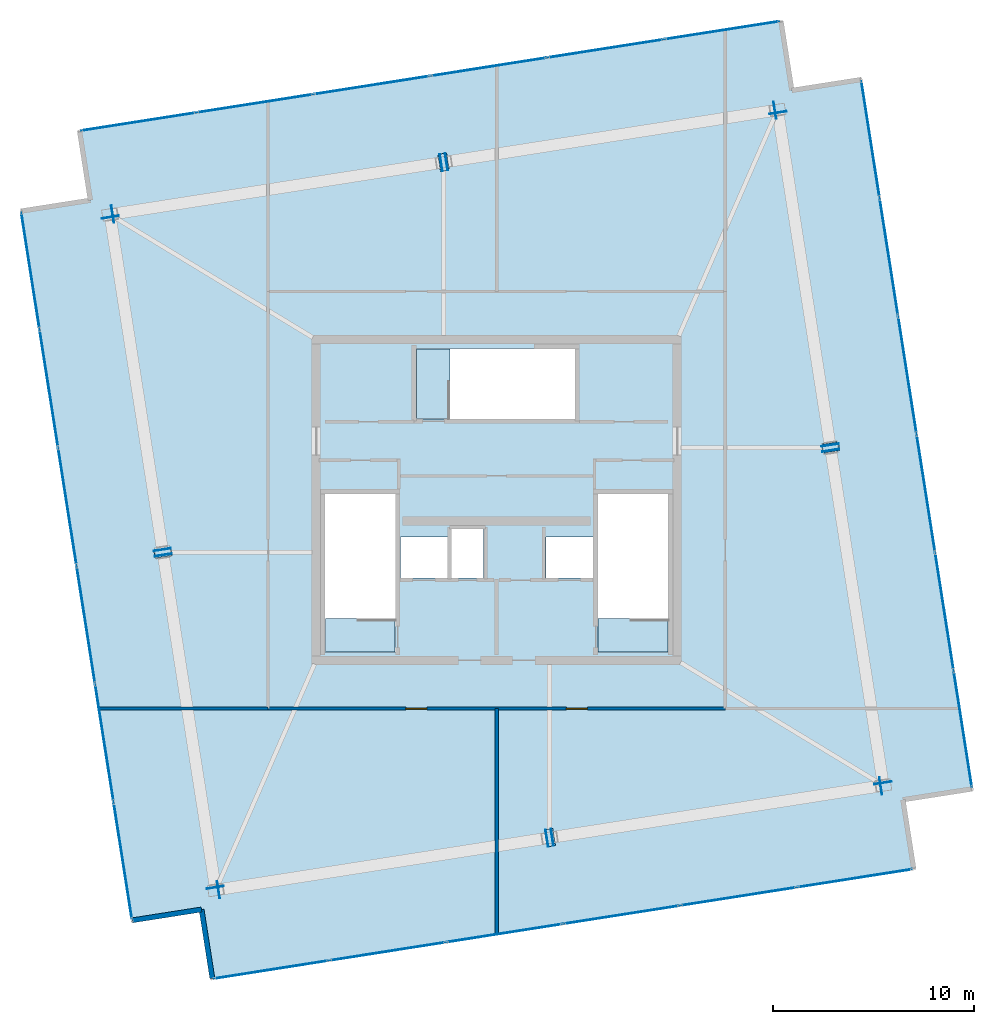
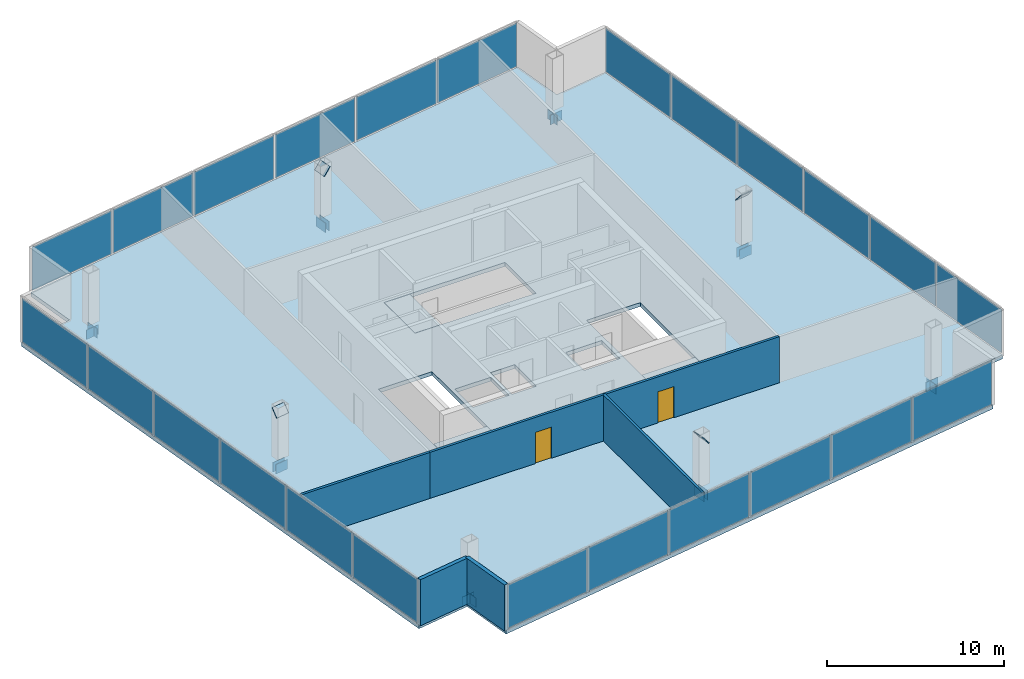
# One storey, part 14 of 17: 44 plates, 5 walls, 4 slabs, 2 doors, 2 openings, 4 elements without a shape of their own.
"""IFC4 building model written with IfcOpenShell, lengths in metres."""

from ifc_helpers import new_model, si_unit, direction, frame, frame_2d, origin, origin_2d, place, context, subcontext, project, spatial, polyline, rectangle, outline, extrude, source, transform, mapped, material, layer, layer_set, type_object, element, fill, aggregate, save


model = new_model("IFC4")

# Units and contexts
model_context = context("Model", 3, precision=1e-05, world=origin(), true_north=direction((0.0, 1.0)))
body_context = subcontext(model_context, "Body", "Model", "MODEL_VIEW")
ifc_project = project(units=[si_unit("LENGTHUNIT", "METRE"), si_unit("AREAUNIT", "SQUARE_METRE"), si_unit("VOLUMEUNIT", "CUBIC_METRE"), si_unit("PLANEANGLEUNIT", "RADIAN"), si_unit("MASSUNIT", "GRAM", prefix="KILO")], contexts=[model_context])

# Site, building, storey
site_placement = place(None, origin())
site = spatial("IfcSite", under=ifc_project, at=site_placement, CompositionType="ELEMENT")
building_placement = place(site_placement, origin())
building = spatial("IfcBuilding", under=site, at=building_placement, Name="Haldenkirk Collegiate Tower", CompositionType="ELEMENT")
storey_placement = place(building_placement, frame((0.0, 0.0, 371.39990234375)))
storey = spatial("IfcBuildingStorey", under=building, at=storey_placement, Name="L94", CompositionType="ELEMENT", Elevation=371.39990234375)

# Slabs
ifc_material_1 = material(Name="Concrete f'c 40 MPa", Category="concrete")
ifc_layer_1 = layer(ifc_material_1, 0.27001953125)
ifc_layer_set_1 = layer_set([ifc_layer_1], Name="Concrete f'c 40 MPa")
slab_type_1 = type_object("IfcSlabType", Name="SLB-FLR-270", PredefinedType="FLOOR", material=ifc_layer_set_1)
slab_1_placement = place(storey_placement, frame((0.0, 0.0, -0.27001953125)))
element("IfcSlab", 1, at=slab_1_placement, inside=storey, type_object=slab_type_1, Name="L94 composite structural floor slab", PredefinedType="FLOOR", context=body_context, shape_type="SweptSolid", body=[
    extrude(outline(polyline([(59.714111328125, 11.595458984375), (54.17529296875, 46.96435546875), (50.717529296875, 46.4228515625), (50.176025390625, 49.880615234375), (15.202392578125, 44.404052734375), (15.743896484375, 40.946044921875), (12.285888671875, 40.404541015625), (17.82470703125, 5.03564453125), (21.282470703125, 5.5771484375), (21.823974609375, 2.119384765625), (56.797607421875, 7.595947265625), (56.256103515625, 11.053955078125), (59.714111328125, 11.595458984375)]), holes=[polyline([(27.449951171875, 18.39990234375), (30.949951171875, 18.39990234375), (30.949951171875, 26.300048828125), (27.449951171875, 26.300048828125), (27.449951171875, 18.39990234375)]), polyline([(41.050048828125, 18.39990234375), (44.550048828125, 18.39990234375), (44.550048828125, 26.300048828125), (41.050048828125, 26.300048828125), (41.050048828125, 18.39990234375)]), polyline([(32.0, 30.050048828125), (39.89990234375, 30.050048828125), (39.89990234375, 33.550048828125), (32.0, 33.550048828125), (32.0, 30.050048828125)]), polyline([(33.75, 22.10009765625), (35.35009765625, 22.10009765625), (35.35009765625, 24.550048828125), (33.75, 24.550048828125), (33.75, 22.10009765625)]), polyline([(31.199951171875, 22.10009765625), (33.550048828125, 22.10009765625), (33.550048828125, 24.14990234375), (31.199951171875, 24.14990234375), (31.199951171875, 22.10009765625)]), polyline([(38.449951171875, 22.10009765625), (40.800048828125, 22.10009765625), (40.800048828125, 24.14990234375), (38.449951171875, 24.14990234375), (38.449951171875, 22.10009765625)])]), origin(), (0.0, 0.0, 1.0), 0.27001953125),
])
ifc_layer_2 = layer(ifc_material_1, 0.25)
ifc_layer_set_2 = layer_set([ifc_layer_2], Name="Concrete f'c 40 MPa")
slab_type_2 = type_object("IfcSlabType", Name="SLB-STAIRLAND-250", PredefinedType="LANDING", material=ifc_layer_set_2)
slab_2_placement = place(storey_placement, frame((0.0, 0.0, -0.25)))
element("IfcSlab", 2, at=slab_2_placement, inside=storey, type_object=slab_type_2, Name="L94 stair ST1 structural floor landing slab", PredefinedType="LANDING", context=body_context, shape_type="SweptSolid", body=[
    extrude(outline(polyline([(27.4599609375, 18.409912109375), (30.93994140625, 18.409912109375), (30.93994140625, 20.080078125), (27.4599609375, 20.080078125), (27.4599609375, 18.409912109375)])), origin(), (0.0, 0.0, 1.0), 0.25),
])
slab_3_placement = place(storey_placement, frame((0.0, 0.0, -0.25)))
element("IfcSlab", 3, at=slab_3_placement, inside=storey, type_object=slab_type_2, Name="L94 stair ST2 structural floor landing slab", PredefinedType="LANDING", context=body_context, shape_type="SweptSolid", body=[
    extrude(outline(polyline([(41.06005859375, 18.409912109375), (44.5400390625, 18.409912109375), (44.5400390625, 20.080078125), (41.06005859375, 20.080078125), (41.06005859375, 18.409912109375)])), origin(), (0.0, 0.0, 1.0), 0.25),
])
slab_4_placement = place(storey_placement, frame((0.0, 0.0, -0.25)))
element("IfcSlab", 4, at=slab_4_placement, inside=storey, type_object=slab_type_2, Name="L94 stair ST3 structural floor landing slab", PredefinedType="LANDING", context=body_context, shape_type="SweptSolid", body=[
    extrude(outline(polyline([(32.010009765625, 30.06005859375), (33.679931640625, 30.06005859375), (33.679931640625, 33.5400390625), (32.010009765625, 33.5400390625), (32.010009765625, 30.06005859375)])), origin(), (0.0, 0.0, 1.0), 0.25),
])

# Plates
ifc_material_2 = material(Name="Steel ASTM A572 Grade 50", Category="steel")
ifc_layer_3 = layer(ifc_material_2, 0.034912109375)
ifc_layer_set_3 = layer_set([ifc_layer_3], Name="Steel ASTM A572 Grade 50")
plate_type_1 = type_object("IfcPlateType", Name="PLT-CAP-EXT-760X600", PredefinedType="USERDEFINED", material=ifc_layer_set_3)
shared_shape_1 = source(origin(), body_context, "Body", "SweptSolid", [
    extrude(rectangle(XDim=0.860107421875, YDim=0.659912109375, at=origin_2d()), origin(), (0.0, 0.0, 1.0), 0.034912109375),
])
for number, where, z_axis, x_axis, name in (
    (5, (55.26123046875, 11.913330078125, -0.669921875), (0.154710964794, -0.987959775179, 0.0), (0.987959775179, 0.154710964794, 0.0), "L94 Crown Ring Frame perimeter girder 1 end cap plate 1"),
    (6, (52.6708984375, 28.45556640625, -0.669921875), (-0.154710964794, 0.987959775179, 0.0), (-0.987959775179, -0.154710964794, 0.0), "L94 Crown Ring Frame perimeter girder 1 end cap plate 2"),
    (7, (52.62353515625, 28.758056640625, -0.669921875), (0.154710964794, -0.987959775179, 0.0), (0.987959775179, 0.154710964794, 0.0), "L94 Crown Ring Frame perimeter girder 2 end cap plate 1"),
    (8, (50.032958984375, 45.30029296875, -0.669921875), (-0.154710964794, 0.987959775179, 0.0), (-0.987959775179, -0.154710964794, 0.0), "L94 Crown Ring Frame perimeter girder 2 end cap plate 2"),
    (9, (49.858154296875, 45.427978515625, -0.669921875), (0.987959445545, 0.154713069772, 0.0), (-0.154713069772, 0.987959445545, 0.0), "L94 Crown Ring Frame perimeter girder 3 end cap plate 1"),
    (10, (33.513427734375, 42.868408203125, -0.669921875), (-0.987959445545, -0.154713069772, 0.0), (0.154713069772, -0.987959445545, 0.0), "L94 Crown Ring Frame perimeter girder 3 end cap plate 2"),
    (11, (33.2109375, 42.821044921875, -0.669921875), (0.987959445545, 0.154713069772, 0.0), (-0.154713069772, 0.987959445545, 0.0), "L94 Crown Ring Frame perimeter girder 4 end cap plate 1"),
    (12, (16.866455078125, 40.261474609375, -0.669921875), (-0.987959445545, -0.154713069772, 0.0), (0.154713069772, -0.987959445545, 0.0), "L94 Crown Ring Frame perimeter girder 4 end cap plate 2"),
    (13, (16.73876953125, 40.086669921875, -0.669921875), (-0.154710964794, 0.987959775179, 0.0), (-0.987959775179, -0.154710964794, 0.0), "L94 Crown Ring Frame perimeter girder 5 end cap plate 1"),
    (14, (19.3291015625, 23.54443359375, -0.669921875), (0.154710964794, -0.987959775179, 0.0), (0.987959775179, 0.154710964794, 0.0), "L94 Crown Ring Frame perimeter girder 5 end cap plate 2"),
    (15, (19.37646484375, 23.241943359375, -0.669921875), (-0.154710964794, 0.987959775179, 0.0), (-0.987959775179, -0.154710964794, 0.0), "L94 Crown Ring Frame perimeter girder 6 end cap plate 1"),
    (16, (21.967041015625, 6.69970703125, -0.669921875), (0.154710964794, -0.987959775179, 0.0), (0.987959775179, 0.154710964794, 0.0), "L94 Crown Ring Frame perimeter girder 6 end cap plate 2"),
    (17, (22.141845703125, 6.572021484375, -0.669921875), (-0.987959445545, -0.154713069772, 0.0), (0.154713069772, -0.987959445545, 0.0), "L94 Crown Ring Frame perimeter girder 7 end cap plate 1"),
    (18, (38.486572265625, 9.131591796875, -0.669921875), (0.987959445545, 0.154713069772, 0.0), (-0.154713069772, 0.987959445545, 0.0), "L94 Crown Ring Frame perimeter girder 7 end cap plate 2"),
    (19, (38.7890625, 9.178955078125, -0.669921875), (-0.987959445545, -0.154713069772, 0.0), (0.154713069772, -0.987959445545, 0.0), "L94 Crown Ring Frame perimeter girder 8 end cap plate 1"),
    (20, (55.133544921875, 11.738525390625, -0.669921875), (0.987959445545, 0.154713069772, 0.0), (-0.154713069772, 0.987959445545, 0.0), "L94 Crown Ring Frame perimeter girder 8 end cap plate 2"),
    (21, (52.647705078125, 28.604736328125, 3.148193359375), (-0.120600972241, 0.770142822737, 0.626366855829), (-0.987959911091, -0.154710096881, -8.7961e-08), "Crown Ring Frame diagonal brace S1 end cap plate 2"),
    (22, (33.364501953125, 42.84521484375, 3.148193359375), (-0.766560067851, -0.120042010625, 0.630853055839), (0.154712449547, -0.987959542671, -4.18634e-07), "Crown Ring Frame diagonal brace E1 end cap plate 2"),
    (23, (19.352294921875, 23.395263671875, 3.148193359375), (0.120600972241, -0.770142822737, 0.626366855829), (0.987959911091, 0.154710096881, -8.7961e-08), "Crown Ring Frame diagonal brace N1 end cap plate 2"),
    (24, (38.635498046875, 9.15478515625, 3.148193359375), (0.766560067851, 0.120042010625, 0.630853055839), (-0.154712449547, 0.987959542671, -4.18634e-07), "Crown Ring Frame diagonal brace W1 end cap plate 2"),
):
    element("IfcPlate", number, at=place(storey_placement, frame(where, z_axis=z_axis, x_axis=x_axis)), inside=storey, type_object=plate_type_1, Name=name, ObjectType="END CAP PLATE", PredefinedType="USERDEFINED", context=body_context, shape_type="MappedRepresentation", body=[
        mapped(shared_shape_1, transform((0.0, 0.0, 0.0), x_axis=(1.0, 0.0, 0.0), y_axis=(0.0, 1.0, 0.0), z_axis=(0.0, 0.0, 1.0), scale=1.0)),
    ])

# Curtain wall, plates
ifc_material_3 = material(Name="Anodised architectural bronze aluminium", Category="aluminium")
curtain_wall_type = type_object("IfcCurtainWallType", Name="CW-SYS6-CROWN", PredefinedType="USERDEFINED", material=ifc_material_3)
curtain_wall_1_placement = place(storey_placement, origin())
curtain_wall_1 = element("IfcCurtainWall", 25, at=curtain_wall_1_placement, inside=storey, type_object=curtain_wall_type, Name="L94 Closed crown ring ceramic-fritted bronze screen curtain wall", ObjectType="UNITISED CURTAIN WALL", PredefinedType="USERDEFINED")
ifc_material_4 = material(Name="Ceramic-fritted bronze triple glass", Category="glass")
ifc_layer_4 = layer(ifc_material_4, 0.0400390625)
ifc_layer_set_4 = layer_set([ifc_layer_4], Name="Ceramic-fritted bronze triple glass")
plate_type_2 = type_object("IfcPlateType", Name="CW-PNL-06", PredefinedType="CURTAIN_PANEL", material=ifc_layer_set_4)
shared_shape_2 = source(origin(), body_context, "Body", "SweptSolid", [
    extrude(rectangle(XDim=5.83154296875, YDim=0.0400390625, at=origin_2d()), origin(), (0.0, 0.0, 1.0), 3.0),
])
plate_1_placement = place(storey_placement, frame((54.640380859375, 43.99462890625, 0.090087890625), z_axis=(0.0, 0.0, 1.0), x_axis=(0.154712514742, -0.987959532462, 0.0)))
plate_1 = element("IfcPlate", 26, at=plate_1_placement, type_object=plate_type_2, Name="CW-06 panel 1.1", PredefinedType="CURTAIN_PANEL", context=body_context, shape_type="MappedRepresentation", body=[
    mapped(shared_shape_2, transform((0.0, 0.0, 0.0), x_axis=(1.0, 0.0, 0.0), y_axis=(0.0, 1.0, 0.0), z_axis=(0.0, 0.0, 1.0), scale=1.0)),
])
plate_2_placement = place(storey_placement, frame((59.2490234375, 14.56494140625, 0.090087890625), z_axis=(0.0, 0.0, 1.0), x_axis=(0.154712514742, -0.987959532462, 0.0)))
plate_2 = element("IfcPlate", 27, at=plate_2_placement, type_object=plate_type_2, Name="CW-06 panel 6.1", PredefinedType="CURTAIN_PANEL", context=body_context, shape_type="MappedRepresentation", body=[
    mapped(shared_shape_2, transform((0.0, 0.0, 0.0), x_axis=(1.0, 0.0, 0.0), y_axis=(0.0, 1.0, 0.0), z_axis=(0.0, 0.0, 1.0), scale=1.0)),
])

curtain_wall_2_placement = place(storey_placement, origin())
curtain_wall_2 = element("IfcCurtainWall", 28, at=curtain_wall_2_placement, inside=storey, type_object=curtain_wall_type, Name="L94 Closed crown ring ceramic-fritted bronze screen curtain wall", ObjectType="UNITISED CURTAIN WALL", PredefinedType="USERDEFINED")
plate_3_placement = place(storey_placement, frame((17.359619140625, 8.00537109375, 0.090087890625), z_axis=(0.0, 0.0, 1.0), x_axis=(-0.154712514742, 0.987959532462, 0.0)))
plate_3 = element("IfcPlate", 29, at=plate_3_placement, type_object=plate_type_2, Name="CW-06 panel 1.1", PredefinedType="CURTAIN_PANEL", context=body_context, shape_type="MappedRepresentation", body=[
    mapped(shared_shape_2, transform((0.0, 0.0, 0.0), x_axis=(1.0, 0.0, 0.0), y_axis=(0.0, 1.0, 0.0), z_axis=(0.0, 0.0, 1.0), scale=1.0)),
])
plate_4_placement = place(storey_placement, frame((12.7509765625, 37.43505859375, 0.090087890625), z_axis=(0.0, 0.0, 1.0), x_axis=(-0.154712514742, 0.987959532462, 0.0)))
plate_4 = element("IfcPlate", 30, at=plate_4_placement, type_object=plate_type_2, Name="CW-06 panel 6.1", PredefinedType="CURTAIN_PANEL", context=body_context, shape_type="MappedRepresentation", body=[
    mapped(shared_shape_2, transform((0.0, 0.0, 0.0), x_axis=(1.0, 0.0, 0.0), y_axis=(0.0, 1.0, 0.0), z_axis=(0.0, 0.0, 1.0), scale=1.0)),
])

# Plate
shared_shape_3 = source(origin(), body_context, "Body", "SweptSolid", [
    extrude(rectangle(XDim=5.876708984375, YDim=0.0400390625, at=origin_2d()), origin(), (0.0, 0.0, 1.0), 3.0),
])
plate_5_placement = place(storey_placement, frame((55.56005859375, 38.1220703125, 0.090087890625), z_axis=(0.0, 0.0, 1.0), x_axis=(0.154712514742, -0.987959532462, 0.0)))
plate_5 = element("IfcPlate", 31, at=plate_5_placement, type_object=plate_type_2, Name="CW-06 panel 2.1", PredefinedType="CURTAIN_PANEL", context=body_context, shape_type="MappedRepresentation", body=[
    mapped(shared_shape_3, transform((0.0, 0.0, 0.0), x_axis=(1.0, 0.0, 0.0), y_axis=(0.0, 1.0, 0.0), z_axis=(0.0, 0.0, 1.0), scale=1.0)),
])

plate_6_placement = place(storey_placement, frame((56.483154296875, 32.227294921875, 0.090087890625), z_axis=(0.0, 0.0, 1.0), x_axis=(0.154712514742, -0.987959532462, 0.0)))
plate_6 = element("IfcPlate", 32, at=plate_6_placement, type_object=plate_type_2, Name="CW-06 panel 3.1", PredefinedType="CURTAIN_PANEL", context=body_context, shape_type="MappedRepresentation", body=[
    mapped(shared_shape_3, transform((0.0, 0.0, 0.0), x_axis=(1.0, 0.0, 0.0), y_axis=(0.0, 1.0, 0.0), z_axis=(0.0, 0.0, 1.0), scale=1.0)),
])

plate_7_placement = place(storey_placement, frame((57.40625, 26.33251953125, 0.090087890625), z_axis=(0.0, 0.0, 1.0), x_axis=(0.154712514742, -0.987959532462, 0.0)))
plate_7 = element("IfcPlate", 33, at=plate_7_placement, type_object=plate_type_2, Name="CW-06 panel 4.1", PredefinedType="CURTAIN_PANEL", context=body_context, shape_type="MappedRepresentation", body=[
    mapped(shared_shape_3, transform((0.0, 0.0, 0.0), x_axis=(1.0, 0.0, 0.0), y_axis=(0.0, 1.0, 0.0), z_axis=(0.0, 0.0, 1.0), scale=1.0)),
])

plate_8_placement = place(storey_placement, frame((58.329345703125, 20.437744140625, 0.090087890625), z_axis=(0.0, 0.0, 1.0), x_axis=(0.154712514742, -0.987959532462, 0.0)))
plate_8 = element("IfcPlate", 34, at=plate_8_placement, type_object=plate_type_2, Name="CW-06 panel 5.1", PredefinedType="CURTAIN_PANEL", context=body_context, shape_type="MappedRepresentation", body=[
    mapped(shared_shape_3, transform((0.0, 0.0, 0.0), x_axis=(1.0, 0.0, 0.0), y_axis=(0.0, 1.0, 0.0), z_axis=(0.0, 0.0, 1.0), scale=1.0)),
])

aggregate(curtain_wall_1, [plate_1, plate_5, plate_6, plate_7, plate_8, plate_2])

plate_9_placement = place(storey_placement, frame((16.43994140625, 13.8779296875, 0.090087890625), z_axis=(0.0, 0.0, 1.0), x_axis=(-0.154712514742, 0.987959532462, 0.0)))
plate_9 = element("IfcPlate", 35, at=plate_9_placement, type_object=plate_type_2, Name="CW-06 panel 2.1", PredefinedType="CURTAIN_PANEL", context=body_context, shape_type="MappedRepresentation", body=[
    mapped(shared_shape_3, transform((0.0, 0.0, 0.0), x_axis=(1.0, 0.0, 0.0), y_axis=(0.0, 1.0, 0.0), z_axis=(0.0, 0.0, 1.0), scale=1.0)),
])

plate_10_placement = place(storey_placement, frame((15.516845703125, 19.772705078125, 0.090087890625), z_axis=(0.0, 0.0, 1.0), x_axis=(-0.154712514742, 0.987959532462, 0.0)))
plate_10 = element("IfcPlate", 36, at=plate_10_placement, type_object=plate_type_2, Name="CW-06 panel 3.1", PredefinedType="CURTAIN_PANEL", context=body_context, shape_type="MappedRepresentation", body=[
    mapped(shared_shape_3, transform((0.0, 0.0, 0.0), x_axis=(1.0, 0.0, 0.0), y_axis=(0.0, 1.0, 0.0), z_axis=(0.0, 0.0, 1.0), scale=1.0)),
])

plate_11_placement = place(storey_placement, frame((14.59375, 25.66748046875, 0.090087890625), z_axis=(0.0, 0.0, 1.0), x_axis=(-0.154712514742, 0.987959532462, 0.0)))
plate_11 = element("IfcPlate", 37, at=plate_11_placement, type_object=plate_type_2, Name="CW-06 panel 4.1", PredefinedType="CURTAIN_PANEL", context=body_context, shape_type="MappedRepresentation", body=[
    mapped(shared_shape_3, transform((0.0, 0.0, 0.0), x_axis=(1.0, 0.0, 0.0), y_axis=(0.0, 1.0, 0.0), z_axis=(0.0, 0.0, 1.0), scale=1.0)),
])

plate_12_placement = place(storey_placement, frame((13.670654296875, 31.562255859375, 0.090087890625), z_axis=(0.0, 0.0, 1.0), x_axis=(-0.154712514742, 0.987959532462, 0.0)))
plate_12 = element("IfcPlate", 38, at=plate_12_placement, type_object=plate_type_2, Name="CW-06 panel 5.1", PredefinedType="CURTAIN_PANEL", context=body_context, shape_type="MappedRepresentation", body=[
    mapped(shared_shape_3, transform((0.0, 0.0, 0.0), x_axis=(1.0, 0.0, 0.0), y_axis=(0.0, 1.0, 0.0), z_axis=(0.0, 0.0, 1.0), scale=1.0)),
])

aggregate(curtain_wall_2, [plate_3, plate_9, plate_10, plate_11, plate_12, plate_4])

# Curtain wall, plates
curtain_wall_3_placement = place(storey_placement, origin())
curtain_wall_3 = element("IfcCurtainWall", 39, at=curtain_wall_3_placement, inside=storey, type_object=curtain_wall_type, Name="L94 Closed crown ring ceramic-fritted bronze screen curtain wall", ObjectType="UNITISED CURTAIN WALL", PredefinedType="USERDEFINED")
shared_shape_4 = source(origin(), body_context, "Body", "SweptSolid", [
    extrude(rectangle(XDim=5.764892578125, YDim=0.0400390625, at=origin_2d()), origin(), (0.0, 0.0, 1.0), 3.0),
])
plate_13_placement = place(storey_placement, frame((18.138916015625, 44.86376953125, 0.090087890625), z_axis=(0.0, 0.0, 1.0), x_axis=(0.987960085646, 0.154708982189, 0.0)))
plate_13 = element("IfcPlate", 40, at=plate_13_placement, type_object=plate_type_2, Name="CW-06 panel 1.1", PredefinedType="CURTAIN_PANEL", context=body_context, shape_type="MappedRepresentation", body=[
    mapped(shared_shape_4, transform((0.0, 0.0, 0.0), x_axis=(1.0, 0.0, 0.0), y_axis=(0.0, 1.0, 0.0), z_axis=(0.0, 0.0, 1.0), scale=1.0)),
])
plate_14_placement = place(storey_placement, frame((47.239501953125, 49.4208984375, 0.090087890625), z_axis=(0.0, 0.0, 1.0), x_axis=(0.987960085646, 0.154708982189, 0.0)))
plate_14 = element("IfcPlate", 41, at=plate_14_placement, type_object=plate_type_2, Name="CW-06 panel 6.1", PredefinedType="CURTAIN_PANEL", context=body_context, shape_type="MappedRepresentation", body=[
    mapped(shared_shape_4, transform((0.0, 0.0, 0.0), x_axis=(1.0, 0.0, 0.0), y_axis=(0.0, 1.0, 0.0), z_axis=(0.0, 0.0, 1.0), scale=1.0)),
])

curtain_wall_4_placement = place(storey_placement, origin())
curtain_wall_4 = element("IfcCurtainWall", 42, at=curtain_wall_4_placement, inside=storey, type_object=curtain_wall_type, Name="L94 Closed crown ring ceramic-fritted bronze screen curtain wall", ObjectType="UNITISED CURTAIN WALL", PredefinedType="USERDEFINED")
plate_15_placement = place(storey_placement, frame((53.861083984375, 7.13623046875, 0.090087890625), z_axis=(0.0, 0.0, 1.0), x_axis=(-0.987960085646, -0.154708982189, 0.0)))
plate_15 = element("IfcPlate", 43, at=plate_15_placement, type_object=plate_type_2, Name="CW-06 panel 1.1", PredefinedType="CURTAIN_PANEL", context=body_context, shape_type="MappedRepresentation", body=[
    mapped(shared_shape_4, transform((0.0, 0.0, 0.0), x_axis=(1.0, 0.0, 0.0), y_axis=(0.0, 1.0, 0.0), z_axis=(0.0, 0.0, 1.0), scale=1.0)),
])
plate_16_placement = place(storey_placement, frame((24.760498046875, 2.5791015625, 0.090087890625), z_axis=(0.0, 0.0, 1.0), x_axis=(-0.987960085646, -0.154708982189, 0.0)))
plate_16 = element("IfcPlate", 44, at=plate_16_placement, type_object=plate_type_2, Name="CW-06 panel 6.1", PredefinedType="CURTAIN_PANEL", context=body_context, shape_type="MappedRepresentation", body=[
    mapped(shared_shape_4, transform((0.0, 0.0, 0.0), x_axis=(1.0, 0.0, 0.0), y_axis=(0.0, 1.0, 0.0), z_axis=(0.0, 0.0, 1.0), scale=1.0)),
])

# Plate
shared_shape_5 = source(origin(), body_context, "Body", "SweptSolid", [
    extrude(rectangle(XDim=5.81005859375, YDim=0.0400390625, at=origin_2d()), origin(), (0.0, 0.0, 1.0), 3.0),
])
plate_17_placement = place(storey_placement, frame((23.94580078125, 45.773193359375, 0.090087890625), z_axis=(0.0, 0.0, 1.0), x_axis=(0.987960085646, 0.154708982189, 0.0)))
plate_17 = element("IfcPlate", 45, at=plate_17_placement, type_object=plate_type_2, Name="CW-06 panel 2.1", PredefinedType="CURTAIN_PANEL", context=body_context, shape_type="MappedRepresentation", body=[
    mapped(shared_shape_5, transform((0.0, 0.0, 0.0), x_axis=(1.0, 0.0, 0.0), y_axis=(0.0, 1.0, 0.0), z_axis=(0.0, 0.0, 1.0), scale=1.0)),
])

plate_18_placement = place(storey_placement, frame((29.774658203125, 46.68603515625, 0.090087890625), z_axis=(0.0, 0.0, 1.0), x_axis=(0.987960085646, 0.154708982189, 0.0)))
plate_18 = element("IfcPlate", 46, at=plate_18_placement, type_object=plate_type_2, Name="CW-06 panel 3.1", PredefinedType="CURTAIN_PANEL", context=body_context, shape_type="MappedRepresentation", body=[
    mapped(shared_shape_5, transform((0.0, 0.0, 0.0), x_axis=(1.0, 0.0, 0.0), y_axis=(0.0, 1.0, 0.0), z_axis=(0.0, 0.0, 1.0), scale=1.0)),
])

plate_19_placement = place(storey_placement, frame((35.603759765625, 47.5986328125, 0.090087890625), z_axis=(0.0, 0.0, 1.0), x_axis=(0.987960085646, 0.154708982189, 0.0)))
plate_19 = element("IfcPlate", 47, at=plate_19_placement, type_object=plate_type_2, Name="CW-06 panel 4.1", PredefinedType="CURTAIN_PANEL", context=body_context, shape_type="MappedRepresentation", body=[
    mapped(shared_shape_5, transform((0.0, 0.0, 0.0), x_axis=(1.0, 0.0, 0.0), y_axis=(0.0, 1.0, 0.0), z_axis=(0.0, 0.0, 1.0), scale=1.0)),
])

plate_20_placement = place(storey_placement, frame((41.4326171875, 48.511474609375, 0.090087890625), z_axis=(0.0, 0.0, 1.0), x_axis=(0.987960085646, 0.154708982189, 0.0)))
plate_20 = element("IfcPlate", 48, at=plate_20_placement, type_object=plate_type_2, Name="CW-06 panel 5.1", PredefinedType="CURTAIN_PANEL", context=body_context, shape_type="MappedRepresentation", body=[
    mapped(shared_shape_5, transform((0.0, 0.0, 0.0), x_axis=(1.0, 0.0, 0.0), y_axis=(0.0, 1.0, 0.0), z_axis=(0.0, 0.0, 1.0), scale=1.0)),
])

aggregate(curtain_wall_3, [plate_13, plate_17, plate_18, plate_19, plate_20, plate_14])

plate_21_placement = place(storey_placement, frame((48.05419921875, 6.226806640625, 0.090087890625), z_axis=(0.0, 0.0, 1.0), x_axis=(-0.987960085646, -0.154708982189, 0.0)))
plate_21 = element("IfcPlate", 49, at=plate_21_placement, type_object=plate_type_2, Name="CW-06 panel 2.1", PredefinedType="CURTAIN_PANEL", context=body_context, shape_type="MappedRepresentation", body=[
    mapped(shared_shape_5, transform((0.0, 0.0, 0.0), x_axis=(1.0, 0.0, 0.0), y_axis=(0.0, 1.0, 0.0), z_axis=(0.0, 0.0, 1.0), scale=1.0)),
])

plate_22_placement = place(storey_placement, frame((42.225341796875, 5.31396484375, 0.090087890625), z_axis=(0.0, 0.0, 1.0), x_axis=(-0.987960085646, -0.154708982189, 0.0)))
plate_22 = element("IfcPlate", 50, at=plate_22_placement, type_object=plate_type_2, Name="CW-06 panel 3.1", PredefinedType="CURTAIN_PANEL", context=body_context, shape_type="MappedRepresentation", body=[
    mapped(shared_shape_5, transform((0.0, 0.0, 0.0), x_axis=(1.0, 0.0, 0.0), y_axis=(0.0, 1.0, 0.0), z_axis=(0.0, 0.0, 1.0), scale=1.0)),
])

plate_23_placement = place(storey_placement, frame((36.396240234375, 4.4013671875, 0.090087890625), z_axis=(0.0, 0.0, 1.0), x_axis=(-0.987960085646, -0.154708982189, 0.0)))
plate_23 = element("IfcPlate", 51, at=plate_23_placement, type_object=plate_type_2, Name="CW-06 panel 4.1", PredefinedType="CURTAIN_PANEL", context=body_context, shape_type="MappedRepresentation", body=[
    mapped(shared_shape_5, transform((0.0, 0.0, 0.0), x_axis=(1.0, 0.0, 0.0), y_axis=(0.0, 1.0, 0.0), z_axis=(0.0, 0.0, 1.0), scale=1.0)),
])

plate_24_placement = place(storey_placement, frame((30.5673828125, 3.488525390625, 0.090087890625), z_axis=(0.0, 0.0, 1.0), x_axis=(-0.987960085646, -0.154708982189, 0.0)))
plate_24 = element("IfcPlate", 52, at=plate_24_placement, type_object=plate_type_2, Name="CW-06 panel 5.1", PredefinedType="CURTAIN_PANEL", context=body_context, shape_type="MappedRepresentation", body=[
    mapped(shared_shape_5, transform((0.0, 0.0, 0.0), x_axis=(1.0, 0.0, 0.0), y_axis=(0.0, 1.0, 0.0), z_axis=(0.0, 0.0, 1.0), scale=1.0)),
])

aggregate(curtain_wall_4, [plate_15, plate_21, plate_22, plate_23, plate_24, plate_16])

# Walls
ifc_material_5 = material(Name="Precast concrete f'c 40 MPa", Category="concrete")
ifc_layer_5 = layer(ifc_material_5, 0.25)
ifc_layer_set_5 = layer_set([ifc_layer_5], Name="Precast concrete f'c 40 MPa")
wall_type_1 = type_object("IfcWallType", Name="WL-EXT-CRN-250", PredefinedType="STANDARD", material=ifc_layer_set_5)
for number, where, z_axis, x_axis, name in (
    (53, (21.282470703125, 5.5771484375, 0.0), (0.0, 0.0, 1.0), (-0.987958443543, -0.154719468176, 0.0), "L94 crown bronze precast enclosure wall 08"),
    (54, (21.823974609375, 2.119384765625, 0.0), (0.0, 0.0, 1.0), (-0.154719468176, 0.987958443543, 0.0), "L94 crown bronze precast enclosure wall 09"),
):
    element("IfcWall", number, at=place(storey_placement, frame(where, z_axis=z_axis, x_axis=x_axis)), inside=storey, type_object=wall_type_1, Name=name, PredefinedType="STANDARD", context=body_context, shape_type="SweptSolid", body=[
        extrude(rectangle(XDim=3.5, YDim=0.25, at=frame_2d((1.75, 0.0))), origin(), (0.0, 0.0, 1.0), 3.18017578125),
    ])

# Wall, openings, doors
ifc_material_6 = material(Name="Acoustic fire-rated gypsum partition", Category="concrete")
ifc_layer_6 = layer(ifc_material_6, 0.159912109375)
ifc_layer_set_6 = layer_set([ifc_layer_6], Name="Acoustic fire-rated gypsum partition")
wall_type_2 = type_object("IfcWallType", Name="WL-INT-CORR-160", PredefinedType="PARTITIONING", material=ifc_layer_set_6)
wall_1_placement = place(storey_placement, frame((24.60009765625, 15.60009765625, 0.0), z_axis=(0.0, 0.0, 1.0), x_axis=(1.0, 0.0, 0.0)))
wall_1 = element("IfcWall", 55, at=wall_1_placement, inside=storey, type_object=wall_type_2, Name="L94 interior partition IW-L94-CS", PredefinedType="PARTITIONING", context=body_context, shape_type="SweptSolid", body=[
    extrude(rectangle(XDim=22.7998046875, YDim=0.159912109375, at=frame_2d((11.39990234375, 0.0))), origin(), (0.0, 0.0, 1.0), 3.18017578125),
])
opening_1_placement = place(wall_1_placement, frame((6.875, 0.0, 0.0)))
opening_1 = element("IfcOpeningElement", 56, at=opening_1_placement, cuts=wall_1, Name="Opening D-09", PredefinedType="OPENING", context=body_context, shape_type="SweptSolid", body=[
    extrude(rectangle(XDim=1.050048828125, YDim=2.14990234375, at=frame_2d((0.52490234375, 1.074951171875))), frame((0.0, 0.08984375, 0.0), z_axis=(0.0, -1.0, 0.0), x_axis=(1.0, 0.0, 0.0)), (0.0, 0.0, 1.0), 0.179931640625),
])
opening_2_placement = place(wall_1_placement, frame((14.875, 0.0, 0.0)))
opening_2 = element("IfcOpeningElement", 57, at=opening_2_placement, cuts=wall_1, Name="Opening D-09", PredefinedType="OPENING", context=body_context, shape_type="SweptSolid", body=[
    extrude(rectangle(XDim=1.050048828125, YDim=2.14990234375, at=frame_2d((0.52490234375, 1.074951171875))), frame((0.0, 0.08984375, 0.0), z_axis=(0.0, -1.0, 0.0), x_axis=(1.0, 0.0, 0.0)), (0.0, 0.0, 1.0), 0.179931640625),
])
ifc_material_7 = material(Name="Solid-core architectural oak fire door", Category="wood")
ifc_layer_7 = layer(ifc_material_7, 0.06005859375)
ifc_layer_set_7 = layer_set([ifc_layer_7], Name="Solid-core architectural oak fire door")
door_type = type_object("IfcDoorType", Name="DR-INT-FD60-1050", OperationType="NOTDEFINED", PredefinedType="DOOR", material=ifc_layer_set_7)
door_1_placement = place(opening_1_placement, origin())
door_1 = element("IfcDoor", 58, at=door_1_placement, inside=storey, type_object=door_type, Name="L94 crown SW plant door", OperationType="SINGLE_SWING_RIGHT", OverallHeight=2.14990234375, OverallWidth=1.050048828125, PredefinedType="DOOR", context=body_context, shape_type="SweptSolid", body=[
    extrude(rectangle(XDim=1.050048828125, YDim=2.14990234375, at=frame_2d((0.52490234375, 1.074951171875))), frame((0.0, 0.02490234375, 0.0), z_axis=(0.0, -1.0, 0.0), x_axis=(1.0, 0.0, 0.0)), (0.0, 0.0, 1.0), 0.050048828125),
])
fill(opening_1, door_1)
door_2_placement = place(opening_2_placement, origin())
door_2 = element("IfcDoor", 59, at=door_2_placement, inside=storey, type_object=door_type, Name="L94 crown SE plant door", OperationType="SINGLE_SWING_LEFT", OverallHeight=2.14990234375, OverallWidth=1.050048828125, PredefinedType="DOOR", context=body_context, shape_type="SweptSolid", body=[
    extrude(rectangle(XDim=1.050048828125, YDim=2.14990234375, at=frame_2d((0.52490234375, 1.074951171875))), frame((0.0, 0.02490234375, 0.0), z_axis=(0.0, -1.0, 0.0), x_axis=(1.0, 0.0, 0.0)), (0.0, 0.0, 1.0), 0.050048828125),
])
fill(opening_2, door_2)

# Walls
wall_2_placement = place(storey_placement, frame((36.0, 4.379638671875, 0.0), z_axis=(0.0, 0.0, 1.0), x_axis=(0.0, 1.0, 0.0)))
element("IfcWall", 60, at=wall_2_placement, inside=storey, type_object=wall_type_2, Name="L94 interior partition IW-L94-D1", PredefinedType="PARTITIONING", context=body_context, shape_type="SweptSolid", body=[
    extrude(rectangle(XDim=11.220458984375, YDim=0.159912109375, at=frame_2d((5.6103515625, 0.0))), origin(), (0.0, 0.0, 1.0), 3.18017578125),
])
wall_3_placement = place(storey_placement, frame((16.210693359375, 15.60009765625, 0.0), z_axis=(0.0, 0.0, 1.0), x_axis=(1.0, 0.0, 0.0)))
element("IfcWall", 61, at=wall_3_placement, inside=storey, type_object=wall_type_2, Name="L94 interior partition IW-L94-D3", PredefinedType="PARTITIONING", context=body_context, shape_type="SweptSolid", body=[
    extrude(rectangle(XDim=8.389404296875, YDim=0.159912109375, at=frame_2d((4.19482421875, 0.0))), origin(), (0.0, 0.0, 1.0), 3.18017578125),
])

save(model, "model.ifc")
